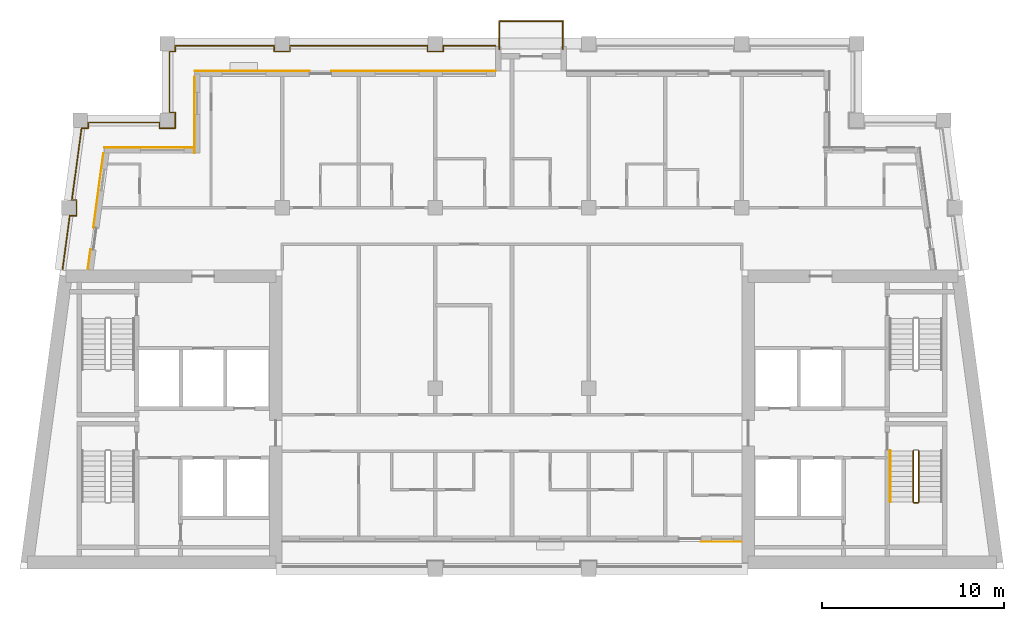
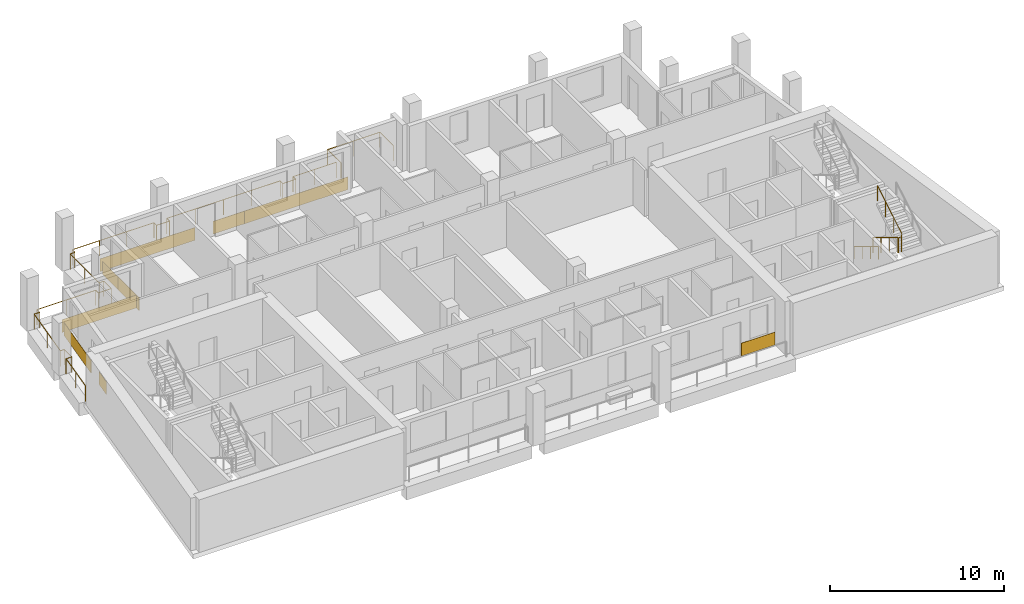
# One storey, part 8 of 10: 9 coverings, 5 railings.
"""IFC4 building model written with IfcOpenShell, lengths in metres."""

from ifc_helpers import new_model, si_unit, direction, frame, origin, origin_2d, place, context, subcontext, project, spatial, rectangle, circle, extrude, material, layer, layer_set, type_object, element, save


model = new_model("IFC4")

# Units and contexts
model_context = context("Model", 3, precision=1e-05, world=origin(), true_north=direction((0.0, 1.0)))
body_context = subcontext(model_context, "Body", "Model", "MODEL_VIEW")
ifc_project = project(units=[si_unit("LENGTHUNIT", "METRE"), si_unit("AREAUNIT", "SQUARE_METRE"), si_unit("VOLUMEUNIT", "CUBIC_METRE"), si_unit("PLANEANGLEUNIT", "RADIAN"), si_unit("MASSUNIT", "GRAM", prefix="KILO")], contexts=[model_context])

# Site, building, storey
site_placement = place(None, origin())
site = spatial("IfcSite", under=ifc_project, at=site_placement, CompositionType="ELEMENT")
building_placement = place(site_placement, origin())
building = spatial("IfcBuilding", under=site, at=building_placement, Name="Candeia Pilgrim Tower and Theatre", CompositionType="ELEMENT")
storey_placement = place(building_placement, frame((0.0, 0.0, 299.699951171875)))
storey = spatial("IfcBuildingStorey", under=building, at=storey_placement, Name="L73", CompositionType="ELEMENT", Elevation=299.699951171875)

# Railings
ifc_material_1 = material(Name="Stainless steel balustrade", Category="steel")
railing_type_1 = type_object("IfcRailingType", Name="G1 loggia guard 1100", PredefinedType="GUARDRAIL", material=ifc_material_1)
railing_1_placement = place(storey_placement, frame((94.070068359375, 140.47998046875, 0.0)))
element("IfcRailing", 1, at=railing_1_placement, inside=storey, type_object=railing_type_1, Name="Guard L73.1", PredefinedType="GUARDRAIL", context=body_context, shape_type="SweptSolid", body=[
    extrude(circle(Radius=0.02392578125, at=origin_2d()), frame((0.0, 0.0, 1.076171875), z_axis=(0.0, -1.0, 0.0), x_axis=(1.0, 0.0, 0.0)), (0.0, 0.0, 1.0), 0.31005859375),
    extrude(circle(Radius=0.02392578125, at=origin_2d()), frame((0.0, -0.31005859375, 1.076171875), z_axis=(1.0, 0.0, 0.0), x_axis=(0.0, 1.0, 0.0)), (0.0, 0.0, 1.0), 0.85986328125),
    extrude(circle(Radius=0.02392578125, at=origin_2d()), frame((0.85986328125, -0.31005859375, 1.076171875), z_axis=(0.0, 1.0, 0.0), x_axis=(-1.0, 0.0, 0.0)), (0.0, 0.0, 1.0), 0.860107421875),
    extrude(circle(Radius=0.02392578125, at=origin_2d()), frame((0.85986328125, 0.550048828125, 1.076171875), z_axis=(-1.0, 0.0, 0.0), x_axis=(0.0, -1.0, 0.0)), (0.0, 0.0, 1.0), 0.309814453125),
    extrude(circle(Radius=0.02392578125, at=origin_2d()), frame((0.550048828125, 0.550048828125, 1.076171875), z_axis=(0.0, 1.0, 0.0), x_axis=(-1.0, 0.0, 0.0)), (0.0, 0.0, 1.0), 3.340087890625),
    extrude(circle(Radius=0.02392578125, at=origin_2d()), frame((0.550048828125, 3.89013671875, 1.076171875), z_axis=(1.0, 0.0, 0.0), x_axis=(0.0, 1.0, 0.0)), (0.0, 0.0, 1.0), 0.309814453125),
    extrude(circle(Radius=0.02392578125, at=origin_2d()), frame((0.85986328125, 3.89013671875, 1.076171875), z_axis=(0.0, 1.0, 0.0), x_axis=(-1.0, 0.0, 0.0)), (0.0, 0.0, 1.0), 0.309814453125),
    extrude(circle(Radius=0.02392578125, at=origin_2d()), frame((0.85986328125, 4.199951171875, 1.076171875), z_axis=(1.0, 0.0, 0.0), x_axis=(0.0, 1.0, 0.0)), (0.0, 0.0, 1.0), 5.440185546875),
    extrude(circle(Radius=0.02392578125, at=origin_2d()), frame((6.300048828125, 4.199951171875, 1.076171875), z_axis=(0.0, -1.0, 0.0), x_axis=(1.0, 0.0, 0.0)), (0.0, 0.0, 1.0), 0.309814453125),
    extrude(circle(Radius=0.02392578125, at=origin_2d()), frame((6.300048828125, 3.89013671875, 1.076171875), z_axis=(1.0, 0.0, 0.0), x_axis=(0.0, 1.0, 0.0)), (0.0, 0.0, 1.0), 0.85986328125),
    extrude(circle(Radius=0.02392578125, at=origin_2d()), frame((7.159912109375, 3.89013671875, 1.076171875), z_axis=(0.0, 1.0, 0.0), x_axis=(-1.0, 0.0, 0.0)), (0.0, 0.0, 1.0), 0.309814453125),
    extrude(circle(Radius=0.02392578125, at=origin_2d()), frame((7.159912109375, 4.199951171875, 1.076171875), z_axis=(1.0, 0.0, 0.0), x_axis=(0.0, 1.0, 0.0)), (0.0, 0.0, 1.0), 7.5400390625),
    extrude(circle(Radius=0.02392578125, at=origin_2d()), frame((14.699951171875, 4.199951171875, 1.076171875), z_axis=(0.0, -1.0, 0.0), x_axis=(1.0, 0.0, 0.0)), (0.0, 0.0, 1.0), 0.309814453125),
    extrude(circle(Radius=0.02392578125, at=origin_2d()), frame((14.699951171875, 3.89013671875, 1.076171875), z_axis=(1.0, 0.0, 0.0), x_axis=(0.0, 1.0, 0.0)), (0.0, 0.0, 1.0), 0.85986328125),
    extrude(circle(Radius=0.02392578125, at=origin_2d()), frame((15.559814453125, 3.89013671875, 1.076171875), z_axis=(0.0, 1.0, 0.0), x_axis=(-1.0, 0.0, 0.0)), (0.0, 0.0, 1.0), 0.309814453125),
    extrude(circle(Radius=0.02392578125, at=origin_2d()), frame((15.559814453125, 4.199951171875, 1.076171875), z_axis=(1.0, 0.0, 0.0), x_axis=(0.0, 1.0, 0.0)), (0.0, 0.0, 1.0), 2.8701171875),
    extrude(circle(Radius=0.02099609375, at=origin_2d()), origin(), (0.0, 0.0, 1.0), 1.052001953125),
    extrude(circle(Radius=0.02099609375, at=origin_2d()), frame((0.0, -0.31005859375, 0.0)), (0.0, 0.0, 1.0), 1.052001953125),
    extrude(circle(Radius=0.02099609375, at=origin_2d()), frame((0.85986328125, -0.31005859375, 0.0)), (0.0, 0.0, 1.0), 1.052001953125),
    extrude(circle(Radius=0.02099609375, at=origin_2d()), frame((0.85986328125, 0.550048828125, 0.0)), (0.0, 0.0, 1.0), 1.052001953125),
    extrude(circle(Radius=0.02099609375, at=origin_2d()), frame((0.550048828125, 0.550048828125, 0.0)), (0.0, 0.0, 1.0), 1.052001953125),
    extrude(circle(Radius=0.02099609375, at=origin_2d()), frame((0.550048828125, 2.22021484375, 0.0)), (0.0, 0.0, 1.0), 1.052001953125),
    extrude(circle(Radius=0.02099609375, at=origin_2d()), frame((0.550048828125, 3.89013671875, 0.0)), (0.0, 0.0, 1.0), 1.052001953125),
    extrude(circle(Radius=0.02099609375, at=origin_2d()), frame((0.85986328125, 3.89013671875, 0.0)), (0.0, 0.0, 1.0), 1.052001953125),
    extrude(circle(Radius=0.02099609375, at=origin_2d()), frame((0.85986328125, 4.199951171875, 0.0)), (0.0, 0.0, 1.0), 1.052001953125),
    extrude(circle(Radius=0.02099609375, at=origin_2d()), frame((2.67333984375, 4.199951171875, 0.0)), (0.0, 0.0, 1.0), 1.052001953125),
    extrude(circle(Radius=0.02099609375, at=origin_2d()), frame((4.486572265625, 4.199951171875, 0.0)), (0.0, 0.0, 1.0), 1.052001953125),
    extrude(circle(Radius=0.02099609375, at=origin_2d()), frame((6.300048828125, 4.199951171875, 0.0)), (0.0, 0.0, 1.0), 1.052001953125),
    extrude(circle(Radius=0.02099609375, at=origin_2d()), frame((6.300048828125, 3.89013671875, 0.0)), (0.0, 0.0, 1.0), 1.052001953125),
    extrude(circle(Radius=0.02099609375, at=origin_2d()), frame((7.159912109375, 3.89013671875, 0.0)), (0.0, 0.0, 1.0), 1.052001953125),
    extrude(circle(Radius=0.02099609375, at=origin_2d()), frame((7.159912109375, 4.199951171875, 0.0)), (0.0, 0.0, 1.0), 1.052001953125),
    extrude(circle(Radius=0.02099609375, at=origin_2d()), frame((9.044921875, 4.199951171875, 0.0)), (0.0, 0.0, 1.0), 1.052001953125),
    extrude(circle(Radius=0.02099609375, at=origin_2d()), frame((10.929931640625, 4.199951171875, 0.0)), (0.0, 0.0, 1.0), 1.052001953125),
    extrude(circle(Radius=0.02099609375, at=origin_2d()), frame((12.81494140625, 4.199951171875, 0.0)), (0.0, 0.0, 1.0), 1.052001953125),
    extrude(circle(Radius=0.02099609375, at=origin_2d()), frame((14.699951171875, 4.199951171875, 0.0)), (0.0, 0.0, 1.0), 1.052001953125),
    extrude(circle(Radius=0.02099609375, at=origin_2d()), frame((14.699951171875, 3.89013671875, 0.0)), (0.0, 0.0, 1.0), 1.052001953125),
    extrude(circle(Radius=0.02099609375, at=origin_2d()), frame((15.559814453125, 3.89013671875, 0.0)), (0.0, 0.0, 1.0), 1.052001953125),
    extrude(circle(Radius=0.02099609375, at=origin_2d()), frame((15.559814453125, 4.199951171875, 0.0)), (0.0, 0.0, 1.0), 1.052001953125),
    extrude(circle(Radius=0.02099609375, at=origin_2d()), frame((16.994873046875, 4.199951171875, 0.0)), (0.0, 0.0, 1.0), 1.052001953125),
    extrude(circle(Radius=0.02099609375, at=origin_2d()), frame((18.429931640625, 4.199951171875, 0.0)), (0.0, 0.0, 1.0), 1.052001953125),
])
railing_2_placement = place(storey_placement, frame((88.758544921875, 132.449951171875, 0.0)))
element("IfcRailing", 2, at=railing_2_placement, inside=storey, type_object=railing_type_1, Name="Guard L73.4", PredefinedType="GUARDRAIL", context=body_context, shape_type="SweptSolid", body=[
    extrude(circle(Radius=0.02392578125, at=origin_2d()), frame((0.0, 0.0, 1.076171875), z_axis=(0.133401056725, 0.991062136329, 0.0), x_axis=(-0.991062136329, 0.133401056725, 0.0)), (0.0, 0.0, 1.0), 2.946533203125),
    extrude(circle(Radius=0.02392578125, at=origin_2d()), frame((0.39306640625, 2.920166015625, 1.076171875), z_axis=(1.0, 0.0, 0.0), x_axis=(0.0, 1.0, 0.0)), (0.0, 0.0, 1.0), 0.366943359375),
    extrude(circle(Radius=0.02392578125, at=origin_2d()), frame((0.760009765625, 2.920166015625, 1.076171875), z_axis=(0.0, 1.0, 0.0), x_axis=(-1.0, 0.0, 0.0)), (0.0, 0.0, 1.0), 0.85986328125),
    extrude(circle(Radius=0.02392578125, at=origin_2d()), frame((0.760009765625, 3.780029296875, 1.076171875), z_axis=(-1.0, 0.0, 0.0), x_axis=(0.0, -1.0, 0.0)), (0.0, 0.0, 1.0), 0.251220703125),
    extrude(circle(Radius=0.02392578125, at=origin_2d()), frame((0.5087890625, 3.780029296875, 1.076171875), z_axis=(0.133446811067, 0.99105597653, 0.0), x_axis=(-0.99105597653, 0.133446811067, 0.0)), (0.0, 0.0, 1.0), 3.9755859375),
    extrude(circle(Radius=0.02392578125, at=origin_2d()), frame((1.039306640625, 7.719970703125, 1.076171875), z_axis=(1.0, 0.0, 0.0), x_axis=(0.0, 1.0, 0.0)), (0.0, 0.0, 1.0), 0.36669921875),
    extrude(circle(Radius=0.02392578125, at=origin_2d()), frame((1.406005859375, 7.719970703125, 1.076171875), z_axis=(0.0, 1.0, 0.0), x_axis=(-1.0, 0.0, 0.0)), (0.0, 0.0, 1.0), 0.31005859375),
    extrude(circle(Radius=0.02392578125, at=origin_2d()), frame((1.406005859375, 8.030029296875, 1.076171875), z_axis=(1.0, 0.0, 0.0), x_axis=(0.0, 1.0, 0.0)), (0.0, 0.0, 1.0), 3.905517578125),
    extrude(circle(Radius=0.02099609375, at=origin_2d()), origin(), (0.0, 0.0, 1.0), 1.052001953125),
    extrude(circle(Radius=0.02099609375, at=origin_2d()), frame((0.196533203125, 1.4599609375, 0.0)), (0.0, 0.0, 1.0), 1.052001953125),
    extrude(circle(Radius=0.02099609375, at=origin_2d()), frame((0.39306640625, 2.920166015625, 0.0)), (0.0, 0.0, 1.0), 1.052001953125),
    extrude(circle(Radius=0.02099609375, at=origin_2d()), frame((0.760009765625, 2.920166015625, 0.0)), (0.0, 0.0, 1.0), 1.052001953125),
    extrude(circle(Radius=0.02099609375, at=origin_2d()), frame((0.760009765625, 3.780029296875, 0.0)), (0.0, 0.0, 1.0), 1.052001953125),
    extrude(circle(Radius=0.02099609375, at=origin_2d()), frame((0.5087890625, 3.780029296875, 0.0)), (0.0, 0.0, 1.0), 1.052001953125),
    extrude(circle(Radius=0.02099609375, at=origin_2d()), frame((0.77392578125, 5.75, 0.0)), (0.0, 0.0, 1.0), 1.052001953125),
    extrude(circle(Radius=0.02099609375, at=origin_2d()), frame((1.039306640625, 7.719970703125, 0.0)), (0.0, 0.0, 1.0), 1.052001953125),
    extrude(circle(Radius=0.02099609375, at=origin_2d()), frame((1.406005859375, 7.719970703125, 0.0)), (0.0, 0.0, 1.0), 1.052001953125),
    extrude(circle(Radius=0.02099609375, at=origin_2d()), frame((1.406005859375, 8.030029296875, 0.0)), (0.0, 0.0, 1.0), 1.052001953125),
    extrude(circle(Radius=0.02099609375, at=origin_2d()), frame((3.35888671875, 8.030029296875, 0.0)), (0.0, 0.0, 1.0), 1.052001953125),
    extrude(circle(Radius=0.02099609375, at=origin_2d()), frame((5.3115234375, 8.030029296875, 0.0)), (0.0, 0.0, 1.0), 1.052001953125),
])
railing_3_placement = place(storey_placement, frame((112.7099609375, 144.5, 0.0)))
element("IfcRailing", 3, at=railing_3_placement, inside=storey, type_object=railing_type_1, Name="Balcony guard L73", PredefinedType="GUARDRAIL", context=body_context, shape_type="SweptSolid", body=[
    extrude(circle(Radius=0.02392578125, at=origin_2d()), frame((0.0, 0.0, 1.076171875), z_axis=(0.0, 1.0, 0.0), x_axis=(-1.0, 0.0, 0.0)), (0.0, 0.0, 1.0), 1.5400390625),
    extrude(circle(Radius=0.02392578125, at=origin_2d()), frame((0.0, 1.5400390625, 1.076171875), z_axis=(1.0, 0.0, 0.0), x_axis=(0.0, 1.0, 0.0)), (0.0, 0.0, 1.0), 3.47998046875),
    extrude(circle(Radius=0.02392578125, at=origin_2d()), frame((3.47998046875, 1.5400390625, 1.076171875), z_axis=(0.0, -1.0, 0.0), x_axis=(1.0, 0.0, 0.0)), (0.0, 0.0, 1.0), 1.5400390625),
    extrude(circle(Radius=0.02099609375, at=origin_2d()), origin(), (0.0, 0.0, 1.0), 1.052001953125),
    extrude(circle(Radius=0.02099609375, at=origin_2d()), frame((0.0, 1.5400390625, 0.0)), (0.0, 0.0, 1.0), 1.052001953125),
    extrude(circle(Radius=0.02099609375, at=origin_2d()), frame((1.739990234375, 1.5400390625, 0.0)), (0.0, 0.0, 1.0), 1.052001953125),
    extrude(circle(Radius=0.02099609375, at=origin_2d()), frame((3.47998046875, 1.5400390625, 0.0)), (0.0, 0.0, 1.0), 1.052001953125),
    extrude(circle(Radius=0.02099609375, at=origin_2d()), frame((3.47998046875, 0.0, 0.0)), (0.0, 0.0, 1.0), 1.052001953125),
])

# Coverings
ifc_material_2 = material(Name="Glazed ceramic tile bottle green")
ifc_layer_1 = layer(ifc_material_2, 0.02001953125)
ifc_layer_set_1 = layer_set([ifc_layer_1], Name="Glazed ceramic tile bottle green")
covering_type_1 = type_object("IfcCoveringType", Name="Glazed ceramic tile bottle green", PredefinedType="CLADDING", material=ifc_layer_set_1)
covering_1_placement = place(storey_placement, frame((104.550048828125, 143.31005859375, 0.0), z_axis=(0.0, 0.0, 1.0), x_axis=(-1.0, 0.0, 0.0)))
element("IfcCovering", 4, at=covering_1_placement, inside=storey, type_object=covering_type_1, Name="Tile cladding bottle green L73", PredefinedType="CLADDING", context=body_context, shape_type="SweptSolid", body=[
    extrude(rectangle(XDim=2.10009765625, YDim=0.02001953125, at=origin_2d()), origin(), (0.0, 0.0, 1.0), 0.89990234375),
])
covering_2_placement = place(storey_placement, frame((99.14990234375, 143.31005859375, 0.0), z_axis=(0.0, 0.0, 1.0), x_axis=(-1.0, 0.0, 0.0)))
element("IfcCovering", 5, at=covering_2_placement, inside=storey, type_object=covering_type_1, Name="Tile cladding bottle green L73", PredefinedType="CLADDING", context=body_context, shape_type="SweptSolid", body=[
    extrude(rectangle(XDim=6.300048828125, YDim=0.02001953125, at=origin_2d()), origin(), (0.0, 0.0, 1.0), 0.89990234375),
])
covering_3_placement = place(storey_placement, frame((95.989990234375, 142.090087890625, 0.0), z_axis=(0.0, 0.0, 1.0), x_axis=(0.0, -1.0, 0.0)))
element("IfcCovering", 6, at=covering_3_placement, inside=storey, type_object=covering_type_1, Name="Tile cladding bottle green L73", PredefinedType="CLADDING", context=body_context, shape_type="SweptSolid", body=[
    extrude(rectangle(XDim=1.780029296875, YDim=0.02001953125, at=origin_2d()), origin(), (0.0, 0.0, 1.0), 0.89990234375),
])
covering_4_placement = place(storey_placement, frame((93.51318359375, 139.110107421875, 0.0), z_axis=(0.0, 0.0, 1.0), x_axis=(-1.0, 0.0, 0.0)))
element("IfcCovering", 7, at=covering_4_placement, inside=storey, type_object=covering_type_1, Name="Tile cladding bottle green L73", PredefinedType="CLADDING", context=body_context, shape_type="SweptSolid", body=[
    extrude(rectangle(XDim=4.933837890625, YDim=0.02001953125, at=origin_2d()), origin(), (0.0, 0.0, 1.0), 0.89990234375),
])
ifc_material_3 = material(Name="Glazed ceramic tile rust")
ifc_layer_2 = layer(ifc_material_3, 0.02001953125)
ifc_layer_set_2 = layer_set([ifc_layer_2], Name="Glazed ceramic tile rust")
covering_type_2 = type_object("IfcCoveringType", Name="Glazed ceramic tile rust", PredefinedType="CLADDING", material=ifc_layer_set_2)
covering_5_placement = place(storey_placement, frame((90.720947265625, 136.759521484375, 0.0), z_axis=(0.0, 0.0, 1.0), x_axis=(-0.133412012145, -0.991060661622, 0.0)))
element("IfcCovering", 8, at=covering_5_placement, inside=storey, type_object=covering_type_2, Name="Tile cladding rust L73", PredefinedType="CLADDING", context=body_context, shape_type="SweptSolid", body=[
    extrude(rectangle(XDim=4.123779296875, YDim=0.02001953125, at=origin_2d()), origin(), (0.0, 0.0, 1.0), 0.89990234375),
])
covering_6_placement = place(storey_placement, frame((90.21142578125, 132.97412109375, 0.0), z_axis=(0.0, 0.0, 1.0), x_axis=(-0.133412012145, -0.991060661622, 0.0)))
element("IfcCovering", 9, at=covering_6_placement, inside=storey, type_object=covering_type_2, Name="Tile cladding rust L73", PredefinedType="CLADDING", context=body_context, shape_type="SweptSolid", body=[
    extrude(rectangle(XDim=1.115234375, YDim=0.02001953125, at=origin_2d()), origin(), (0.0, 0.0, 1.0), 0.89990234375),
])
covering_7_placement = place(storey_placement, frame((124.875, 117.489990234375, 0.0), z_axis=(0.0, 0.0, 1.0), x_axis=(1.0, 0.0, 0.0)))
element("IfcCovering", 10, at=covering_7_placement, inside=storey, type_object=covering_type_2, Name="Tile cladding rust L73", PredefinedType="CLADDING", context=body_context, shape_type="SweptSolid", body=[
    extrude(rectangle(XDim=2.25, YDim=0.02001953125, at=origin_2d()), origin(), (0.0, 0.0, 1.0), 0.89990234375),
])
covering_8_placement = place(storey_placement, frame((109.050048828125, 143.31005859375, 0.0), z_axis=(0.0, 0.0, 1.0), x_axis=(-1.0, 0.0, 0.0)))
element("IfcCovering", 11, at=covering_8_placement, inside=storey, type_object=covering_type_2, Name="Tile cladding rust L73", PredefinedType="CLADDING", context=body_context, shape_type="SweptSolid", body=[
    extrude(rectangle(XDim=6.89990234375, YDim=0.02001953125, at=origin_2d()), origin(), (0.0, 0.0, 1.0), 0.89990234375),
])
covering_9_placement = place(storey_placement, frame((95.989990234375, 140.0, 0.0), z_axis=(0.0, 0.0, 1.0), x_axis=(0.0, -1.0, 0.0)))
element("IfcCovering", 12, at=covering_9_placement, inside=storey, type_object=covering_type_2, Name="Tile cladding rust L73", PredefinedType="CLADDING", context=body_context, shape_type="SweptSolid", body=[
    extrude(rectangle(XDim=2.39990234375, YDim=0.02001953125, at=origin_2d()), origin(), (0.0, 0.0, 1.0), 0.89990234375),
])

# Railings
railing_type_2 = type_object("IfcRailingType", Name="RL-GUARD-1100", PredefinedType="GUARDRAIL", material=ifc_material_1)
railing_4_placement = place(storey_placement, frame((135.39794921875, 122.47509765625, 0.168212890625)))
element("IfcRailing", 13, at=railing_4_placement, inside=storey, type_object=railing_type_2, Name="L73 ST3 stair guard 1", PredefinedType="GUARDRAIL", context=body_context, shape_type="SweptSolid", body=[
    extrude(circle(Radius=0.02392578125, at=origin_2d()), frame((0.0, 0.0, 1.076171875), z_axis=(0.0, -0.857242210791, 0.514913383045), x_axis=(1.0, 0.0, 0.0)), (0.0, 0.0, 1.0), 3.266357421875),
    extrude(circle(Radius=0.02392578125, at=origin_2d()), frame((0.0, -2.800048828125, 2.7578125), z_axis=(0.707106781187, -0.707106781187, 0.0), x_axis=(0.707106781187, 0.707106781187, 0.0)), (0.0, 0.0, 1.0), 0.07080078125),
    extrude(circle(Radius=0.02392578125, at=origin_2d()), frame((0.050048828125, -2.85009765625, 2.7578125), z_axis=(1.0, 0.0, 0.0), x_axis=(0.0, 1.0, 0.0)), (0.0, 0.0, 1.0), 0.199951171875),
    extrude(circle(Radius=0.02392578125, at=origin_2d()), frame((0.25, -2.85009765625, 2.7578125), z_axis=(0.274243871929, 0.274243871929, 0.92172696468), x_axis=(-0.707106781187, 0.707106781187, 0.0)), (0.0, 0.0, 1.0), 0.1826171875),
    extrude(circle(Radius=0.02392578125, at=origin_2d()), frame((0.300048828125, -2.800048828125, 2.92626953125), z_axis=(0.0, 0.857275202839, 0.514858452973), x_axis=(-1.0, 0.0, 0.0)), (0.0, 0.0, 1.0), 3.26611328125),
    extrude(circle(Radius=0.02099609375, at=origin_2d()), origin(), (0.0, 0.0, 1.0), 1.052001953125),
    extrude(circle(Radius=0.02099609375, at=origin_2d()), frame((0.0, -0.933349609375, 0.560546875)), (0.0, 0.0, 1.0), 1.052001953125),
    extrude(circle(Radius=0.02099609375, at=origin_2d()), frame((0.0, -1.86669921875, 1.121337890625)), (0.0, 0.0, 1.0), 1.052001953125),
    extrude(circle(Radius=0.02099609375, at=origin_2d()), frame((0.0, -2.800048828125, 1.681884765625)), (0.0, 0.0, 1.0), 1.052001953125),
    extrude(circle(Radius=0.02099609375, at=origin_2d()), frame((0.050048828125, -2.85009765625, 1.681884765625)), (0.0, 0.0, 1.0), 1.052001953125),
    extrude(circle(Radius=0.02099609375, at=origin_2d()), frame((0.25, -2.85009765625, 1.681884765625)), (0.0, 0.0, 1.0), 1.052001953125),
    extrude(circle(Radius=0.02099609375, at=origin_2d()), frame((0.300048828125, -2.800048828125, 1.85009765625)), (0.0, 0.0, 1.0), 1.052001953125),
    extrude(circle(Radius=0.02099609375, at=origin_2d()), frame((0.300048828125, -1.86669921875, 2.41064453125)), (0.0, 0.0, 1.0), 1.052001953125),
    extrude(circle(Radius=0.02099609375, at=origin_2d()), frame((0.300048828125, -0.933349609375, 2.97119140625)), (0.0, 0.0, 1.0), 1.052001953125),
    extrude(circle(Radius=0.02099609375, at=origin_2d()), frame((0.300048828125, 0.0, 3.53173828125)), (0.0, 0.0, 1.0), 1.052001953125),
])
ifc_material_4 = material(Name="Stainless steel handrail", Category="steel")
railing_type_3 = type_object("IfcRailingType", Name="RL-HANDRAIL-900", PredefinedType="HANDRAIL", material=ifc_material_4)
railing_5_placement = place(storey_placement, frame((134.14794921875, 122.47509765625, 0.168212890625)))
element("IfcRailing", 14, at=railing_5_placement, inside=storey, type_object=railing_type_3, Name="L73 ST3 stair handrail 1", PredefinedType="HANDRAIL", context=body_context, shape_type="SweptSolid", body=[
    extrude(circle(Radius=0.02392578125, at=origin_2d()), frame((0.0, 0.0, 0.8759765625), z_axis=(0.0, -0.857242210791, 0.514913383045), x_axis=(1.0, 0.0, 0.0)), (0.0, 0.0, 1.0), 3.266357421875),
    extrude(circle(Radius=0.02099609375, at=origin_2d()), origin(), (0.0, 0.0, 1.0), 0.851806640625),
    extrude(circle(Radius=0.02099609375, at=origin_2d()), frame((0.0, -0.933349609375, 0.560546875)), (0.0, 0.0, 1.0), 0.851806640625),
    extrude(circle(Radius=0.02099609375, at=origin_2d()), frame((0.0, -1.86669921875, 1.121337890625)), (0.0, 0.0, 1.0), 0.851806640625),
    extrude(circle(Radius=0.02099609375, at=origin_2d()), frame((0.0, -2.800048828125, 1.681884765625)), (0.0, 0.0, 1.0), 0.851806640625),
])

save(model, "model.ifc")
